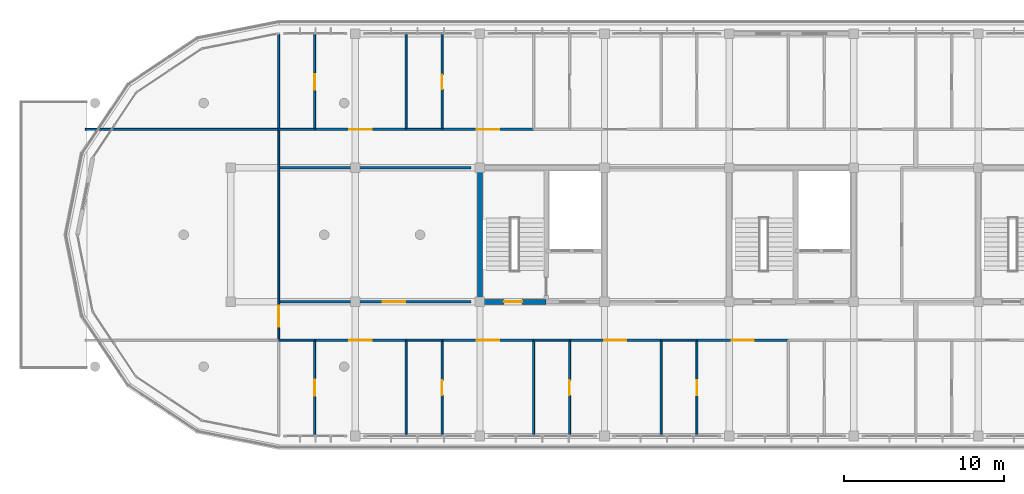
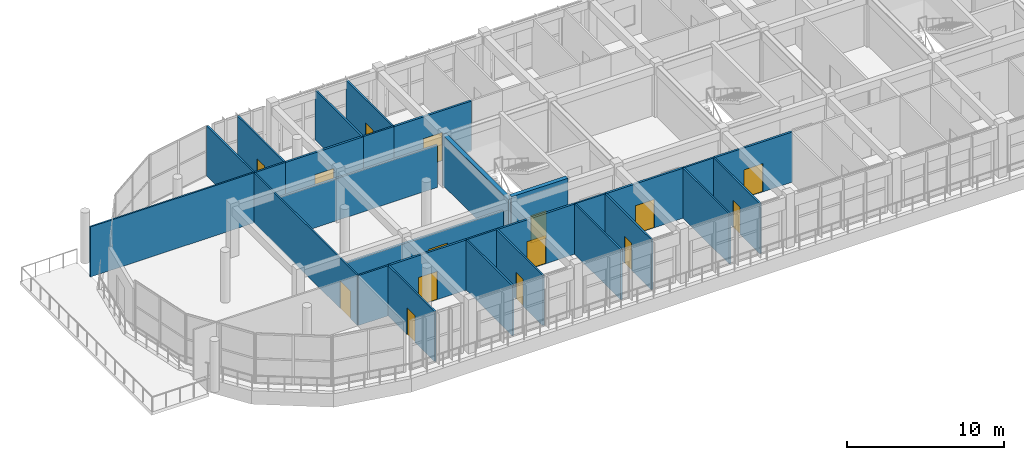
# One storey, part 47 of 56: 29 walls, 15 doors, 15 openings.
"""IFC4 building model written with IfcOpenShell, lengths in metres."""

from ifc_helpers import new_model, si_unit, direction, frame, frame_2d, origin, place, context, subcontext, project, spatial, rectangle, extrude, material, layer, layer_set, type_object, element, fill, save


model = new_model("IFC4")

# Units and contexts
model_context = context("Model", 3, precision=1e-05, world=origin(), true_north=direction((0.0, 1.0)))
body_context = subcontext(model_context, "Body", "Model", "MODEL_VIEW")
ifc_project = project(units=[si_unit("LENGTHUNIT", "METRE"), si_unit("AREAUNIT", "SQUARE_METRE"), si_unit("VOLUMEUNIT", "CUBIC_METRE"), si_unit("PLANEANGLEUNIT", "RADIAN"), si_unit("MASSUNIT", "GRAM", prefix="KILO")], contexts=[model_context])

# Site, building, storey
site_placement = place(None, origin())
site = spatial("IfcSite", under=ifc_project, at=site_placement, CompositionType="ELEMENT")
building_placement = place(site_placement, origin())
building = spatial("IfcBuilding", under=site, at=building_placement, Name="Zizhar Promenade General Hospital", CompositionType="ELEMENT")
storey_placement = place(building_placement, frame((0.0, 0.0, 26.39990234375)))
storey = spatial("IfcBuildingStorey", under=building, at=storey_placement, Name="L06", CompositionType="ELEMENT", Elevation=26.39990234375)

# Wall
ifc_material_1 = material(Name="Clean utility gypsum partition")
ifc_layer_1 = layer(ifc_material_1, 0.114990234375)
ifc_layer_set_1 = layer_set([ifc_layer_1], Name="Clean utility gypsum partition")
wall_type_1 = type_object("IfcWallType", Name="IW-STR-115", PredefinedType="PARTITIONING", material=ifc_layer_set_1)
wall_1_placement = place(storey_placement, frame((22.10009765625, 19.199951171875, 0.0), z_axis=(0.0, 0.0, 1.0), x_axis=(1.0, 0.0, 0.0)))
element("IfcWall", 1, at=wall_1_placement, inside=storey, type_object=wall_type_1, Name="West Patient Recovery Solarium L06 N Partition", PredefinedType="PARTITIONING", context=body_context, shape_type="SweptSolid", body=[
    extrude(rectangle(XDim=12.099853515625, YDim=0.114990234375, at=frame_2d((6.0498046875, 0.0))), origin(), (0.0, 0.0, 1.0), 3.900146484375),
])

# Wall, opening, door
wall_2_placement = place(storey_placement, frame((34.199951171875, 6.0, 0.0), z_axis=(0.0, 0.0, 1.0), x_axis=(0.0, 1.0, 0.0)))
wall_2 = element("IfcWall", 2, at=wall_2_placement, inside=storey, type_object=wall_type_1, Name="West Patient Recovery Solarium L06 E Partition", PredefinedType="PARTITIONING", context=body_context, shape_type="SweptSolid", body=[
    extrude(rectangle(XDim=13.199951171875, YDim=0.114990234375, at=frame_2d((6.60009765625, 0.0))), origin(), (0.0, 0.0, 1.0), 3.900146484375),
])
opening_1_placement = place(wall_2_placement, frame((0.85009765625, 0.0, 0.0)))
opening_1 = element("IfcOpeningElement", 3, at=opening_1_placement, cuts=wall_2, Name="Opening D-26", PredefinedType="OPENING", context=body_context, shape_type="SweptSolid", body=[
    extrude(rectangle(XDim=1.320068359375, YDim=2.14990234375, at=frame_2d((0.66015625, 1.074951171875))), frame((0.0, 0.0673828125, 0.0), z_axis=(0.0, -1.0, 0.0), x_axis=(1.0, 0.0, 0.0)), (0.0, 0.0, 1.0), 0.135009765625),
])
ifc_material_2 = material(Name="Fire-rated timber store leaf", Category="wood")
door_type_1 = type_object("IfcDoorType", Name="DR-STORE-132x215", OperationType="NOTDEFINED", PredefinedType="DOOR", material=ifc_material_2)
door_1_placement = place(opening_1_placement, origin())
door_1 = element("IfcDoor", 4, at=door_1_placement, inside=storey, type_object=door_type_1, Name="West Patient Recovery Solarium L06 Door", OperationType="SINGLE_SWING_RIGHT", OverallHeight=2.14990234375, OverallWidth=1.320068359375, PredefinedType="DOOR", context=body_context, shape_type="SweptSolid", body=[
    extrude(rectangle(XDim=1.320068359375, YDim=2.14990234375, at=frame_2d((0.66015625, 1.074951171875))), frame((0.0, 0.02490234375, 0.0), z_axis=(0.0, -1.0, 0.0), x_axis=(1.0, 0.0, 0.0)), (0.0, 0.0, 1.0), 0.050048828125),
])
fill(opening_1, door_1)

ifc_material_3 = material(Name="Acoustic patient bedroom partition")
ifc_layer_2 = layer(ifc_material_3, 0.155029296875)
ifc_layer_set_2 = layer_set([ifc_layer_2], Name="Acoustic patient bedroom partition")
wall_type_2 = type_object("IfcWallType", Name="IW-WARD-155", PredefinedType="PARTITIONING", material=ifc_layer_set_2)
wall_3_placement = place(storey_placement, frame((36.4599609375, 6.0, 0.0), z_axis=(0.0, 0.0, 1.0), x_axis=(1.0, 0.0, 0.0)))
wall_3 = element("IfcWall", 5, at=wall_3_placement, inside=storey, type_object=wall_type_2, Name="Surgical Recovery Inpatient Ward L06-S01 N Partition", PredefinedType="PARTITIONING", context=body_context, shape_type="SweptSolid", body=[
    extrude(rectangle(XDim=5.7099609375, YDim=0.155029296875, at=frame_2d((2.85498046875, 0.0))), origin(), (0.0, 0.0, 1.0), 3.900146484375),
])
opening_2_placement = place(wall_3_placement, frame((2.155029296875, 0.0, 0.0)))
opening_2 = element("IfcOpeningElement", 6, at=opening_2_placement, cuts=wall_3, Name="Opening D-06", PredefinedType="OPENING", context=body_context, shape_type="SweptSolid", body=[
    extrude(rectangle(XDim=1.39990234375, YDim=2.199951171875, at=frame_2d((0.699951171875, 1.10009765625))), frame((0.0, 0.08740234375, 0.0), z_axis=(0.0, -1.0, 0.0), x_axis=(1.0, 0.0, 0.0)), (0.0, 0.0, 1.0), 0.175048828125),
])
ifc_material_4 = material(Name="Fire-rated timber hospital bed leaf", Category="wood")
door_type_2 = type_object("IfcDoorType", Name="DR-BED-WARD-140x220", OperationType="NOTDEFINED", PredefinedType="DOOR", material=ifc_material_4)
door_2_placement = place(opening_2_placement, origin())
door_2 = element("IfcDoor", 7, at=door_2_placement, inside=storey, type_object=door_type_2, Name="Surgical Recovery Inpatient Ward L06-S01 Door", OperationType="SINGLE_SWING_RIGHT", OverallHeight=2.199951171875, OverallWidth=1.39990234375, PredefinedType="DOOR", context=body_context, shape_type="SweptSolid", body=[
    extrude(rectangle(XDim=1.39990234375, YDim=2.199951171875, at=frame_2d((0.699951171875, 1.10009765625))), frame((0.0, 0.02490234375, 0.0), z_axis=(0.0, -1.0, 0.0), x_axis=(1.0, 0.0, 0.0)), (0.0, 0.0, 1.0), 0.050048828125),
])
fill(opening_2, door_2)

wall_4_placement = place(storey_placement, frame((36.4599609375, 19.199951171875, 0.0), z_axis=(0.0, 0.0, 1.0), x_axis=(1.0, 0.0, 0.0)))
wall_4 = element("IfcWall", 8, at=wall_4_placement, inside=storey, type_object=wall_type_2, Name="Surgical Recovery Inpatient Ward L06-N01 S Partition", PredefinedType="PARTITIONING", context=body_context, shape_type="SweptSolid", body=[
    extrude(rectangle(XDim=5.7099609375, YDim=0.155029296875, at=frame_2d((2.85498046875, 0.0))), origin(), (0.0, 0.0, 1.0), 3.900146484375),
])
opening_3_placement = place(wall_4_placement, frame((2.155029296875, 0.0, 0.0)))
opening_3 = element("IfcOpeningElement", 9, at=opening_3_placement, cuts=wall_4, Name="Opening D-06", PredefinedType="OPENING", context=body_context, shape_type="SweptSolid", body=[
    extrude(rectangle(XDim=1.39990234375, YDim=2.199951171875, at=frame_2d((0.699951171875, 1.10009765625))), frame((0.0, 0.08740234375, 0.0), z_axis=(0.0, -1.0, 0.0), x_axis=(1.0, 0.0, 0.0)), (0.0, 0.0, 1.0), 0.175048828125),
])
door_3_placement = place(opening_3_placement, origin())
door_3 = element("IfcDoor", 10, at=door_3_placement, inside=storey, type_object=door_type_2, Name="Surgical Recovery Inpatient Ward L06-N01 Door", OperationType="SINGLE_SWING_LEFT", OverallHeight=2.199951171875, OverallWidth=1.39990234375, PredefinedType="DOOR", context=body_context, shape_type="SweptSolid", body=[
    extrude(rectangle(XDim=1.39990234375, YDim=2.199951171875, at=frame_2d((0.699951171875, 1.10009765625))), frame((0.0, 0.02490234375, 0.0), z_axis=(0.0, -1.0, 0.0), x_axis=(1.0, 0.0, 0.0)), (0.0, 0.0, 1.0), 0.050048828125),
])
fill(opening_3, door_3)

wall_5_placement = place(storey_placement, frame((44.43994140625, 6.0, 0.0), z_axis=(0.0, 0.0, 1.0), x_axis=(1.0, 0.0, 0.0)))
wall_5 = element("IfcWall", 11, at=wall_5_placement, inside=storey, type_object=wall_type_2, Name="Orthopaedic Inpatient Ward L06-S02 N Partition", PredefinedType="PARTITIONING", context=body_context, shape_type="SweptSolid", body=[
    extrude(rectangle(XDim=5.7099609375, YDim=0.155029296875, at=frame_2d((2.85498046875, 0.0))), origin(), (0.0, 0.0, 1.0), 3.900146484375),
])
opening_4_placement = place(wall_5_placement, frame((2.155029296875, 0.0, 0.0)))
opening_4 = element("IfcOpeningElement", 12, at=opening_4_placement, cuts=wall_5, Name="Opening D-06", PredefinedType="OPENING", context=body_context, shape_type="SweptSolid", body=[
    extrude(rectangle(XDim=1.39990234375, YDim=2.199951171875, at=frame_2d((0.699951171875, 1.10009765625))), frame((0.0, 0.08740234375, 0.0), z_axis=(0.0, -1.0, 0.0), x_axis=(1.0, 0.0, 0.0)), (0.0, 0.0, 1.0), 0.175048828125),
])
door_4_placement = place(opening_4_placement, origin())
door_4 = element("IfcDoor", 13, at=door_4_placement, inside=storey, type_object=door_type_2, Name="Orthopaedic Inpatient Ward L06-S02 Door", OperationType="SINGLE_SWING_RIGHT", OverallHeight=2.199951171875, OverallWidth=1.39990234375, PredefinedType="DOOR", context=body_context, shape_type="SweptSolid", body=[
    extrude(rectangle(XDim=1.39990234375, YDim=2.199951171875, at=frame_2d((0.699951171875, 1.10009765625))), frame((0.0, 0.02490234375, 0.0), z_axis=(0.0, -1.0, 0.0), x_axis=(1.0, 0.0, 0.0)), (0.0, 0.0, 1.0), 0.050048828125),
])
fill(opening_4, door_4)

wall_6_placement = place(storey_placement, frame((44.43994140625, 19.199951171875, 0.0), z_axis=(0.0, 0.0, 1.0), x_axis=(1.0, 0.0, 0.0)))
wall_6 = element("IfcWall", 14, at=wall_6_placement, inside=storey, type_object=wall_type_2, Name="Orthopaedic Inpatient Ward L06-N02 S Partition", PredefinedType="PARTITIONING", context=body_context, shape_type="SweptSolid", body=[
    extrude(rectangle(XDim=5.7099609375, YDim=0.155029296875, at=frame_2d((2.85498046875, 0.0))), origin(), (0.0, 0.0, 1.0), 3.900146484375),
])
opening_5_placement = place(wall_6_placement, frame((2.155029296875, 0.0, 0.0)))
opening_5 = element("IfcOpeningElement", 15, at=opening_5_placement, cuts=wall_6, Name="Opening D-06", PredefinedType="OPENING", context=body_context, shape_type="SweptSolid", body=[
    extrude(rectangle(XDim=1.39990234375, YDim=2.199951171875, at=frame_2d((0.699951171875, 1.10009765625))), frame((0.0, 0.08740234375, 0.0), z_axis=(0.0, -1.0, 0.0), x_axis=(1.0, 0.0, 0.0)), (0.0, 0.0, 1.0), 0.175048828125),
])
door_5_placement = place(opening_5_placement, origin())
door_5 = element("IfcDoor", 16, at=door_5_placement, inside=storey, type_object=door_type_2, Name="Orthopaedic Inpatient Ward L06-N02 Door", OperationType="SINGLE_SWING_LEFT", OverallHeight=2.199951171875, OverallWidth=1.39990234375, PredefinedType="DOOR", context=body_context, shape_type="SweptSolid", body=[
    extrude(rectangle(XDim=1.39990234375, YDim=2.199951171875, at=frame_2d((0.699951171875, 1.10009765625))), frame((0.0, 0.02490234375, 0.0), z_axis=(0.0, -1.0, 0.0), x_axis=(1.0, 0.0, 0.0)), (0.0, 0.0, 1.0), 0.050048828125),
])
fill(opening_5, door_5)

wall_7_placement = place(storey_placement, frame((52.419921875, 6.0, 0.0), z_axis=(0.0, 0.0, 1.0), x_axis=(1.0, 0.0, 0.0)))
wall_7 = element("IfcWall", 17, at=wall_7_placement, inside=storey, type_object=wall_type_2, Name="Surgical Recovery Inpatient Ward L06-S03 N Partition", PredefinedType="PARTITIONING", context=body_context, shape_type="SweptSolid", body=[
    extrude(rectangle(XDim=5.7099609375, YDim=0.155029296875, at=frame_2d((2.85498046875, 0.0))), origin(), (0.0, 0.0, 1.0), 3.900146484375),
])
opening_6_placement = place(wall_7_placement, frame((2.155029296875, 0.0, 0.0)))
opening_6 = element("IfcOpeningElement", 18, at=opening_6_placement, cuts=wall_7, Name="Opening D-06", PredefinedType="OPENING", context=body_context, shape_type="SweptSolid", body=[
    extrude(rectangle(XDim=1.39990234375, YDim=2.199951171875, at=frame_2d((0.699951171875, 1.10009765625))), frame((0.0, 0.08740234375, 0.0), z_axis=(0.0, -1.0, 0.0), x_axis=(1.0, 0.0, 0.0)), (0.0, 0.0, 1.0), 0.175048828125),
])
door_6_placement = place(opening_6_placement, origin())
door_6 = element("IfcDoor", 19, at=door_6_placement, inside=storey, type_object=door_type_2, Name="Surgical Recovery Inpatient Ward L06-S03 Door", OperationType="SINGLE_SWING_RIGHT", OverallHeight=2.199951171875, OverallWidth=1.39990234375, PredefinedType="DOOR", context=body_context, shape_type="SweptSolid", body=[
    extrude(rectangle(XDim=1.39990234375, YDim=2.199951171875, at=frame_2d((0.699951171875, 1.10009765625))), frame((0.0, 0.02490234375, 0.0), z_axis=(0.0, -1.0, 0.0), x_axis=(1.0, 0.0, 0.0)), (0.0, 0.0, 1.0), 0.050048828125),
])
fill(opening_6, door_6)

wall_8_placement = place(storey_placement, frame((60.39990234375, 6.0, 0.0), z_axis=(0.0, 0.0, 1.0), x_axis=(1.0, 0.0, 0.0)))
wall_8 = element("IfcWall", 20, at=wall_8_placement, inside=storey, type_object=wall_type_2, Name="Orthopaedic Inpatient Ward L06-S04 N Partition", PredefinedType="PARTITIONING", context=body_context, shape_type="SweptSolid", body=[
    extrude(rectangle(XDim=5.710205078125, YDim=0.155029296875, at=frame_2d((2.85498046875, 0.0))), origin(), (0.0, 0.0, 1.0), 3.900146484375),
])
opening_7_placement = place(wall_8_placement, frame((2.155029296875, 0.0, 0.0)))
opening_7 = element("IfcOpeningElement", 21, at=opening_7_placement, cuts=wall_8, Name="Opening D-06", PredefinedType="OPENING", context=body_context, shape_type="SweptSolid", body=[
    extrude(rectangle(XDim=1.39990234375, YDim=2.199951171875, at=frame_2d((0.699951171875, 1.10009765625))), frame((0.0, 0.08740234375, 0.0), z_axis=(0.0, -1.0, 0.0), x_axis=(1.0, 0.0, 0.0)), (0.0, 0.0, 1.0), 0.175048828125),
])
door_7_placement = place(opening_7_placement, origin())
door_7 = element("IfcDoor", 22, at=door_7_placement, inside=storey, type_object=door_type_2, Name="Orthopaedic Inpatient Ward L06-S04 Door", OperationType="SINGLE_SWING_RIGHT", OverallHeight=2.199951171875, OverallWidth=1.39990234375, PredefinedType="DOOR", context=body_context, shape_type="SweptSolid", body=[
    extrude(rectangle(XDim=1.39990234375, YDim=2.199951171875, at=frame_2d((0.699951171875, 1.10009765625))), frame((0.0, 0.02490234375, 0.0), z_axis=(0.0, -1.0, 0.0), x_axis=(1.0, 0.0, 0.0)), (0.0, 0.0, 1.0), 0.050048828125),
])
fill(opening_7, door_7)

wall_9_placement = place(storey_placement, frame((34.2099609375, 8.39990234375, 0.0), z_axis=(0.0, 0.0, 1.0), x_axis=(1.0, 0.0, 0.0)))
wall_9 = element("IfcWall", 23, at=wall_9_placement, inside=storey, type_object=wall_type_2, Name="Ward Clinical Examination Room L06 S Partition", PredefinedType="PARTITIONING", context=body_context, shape_type="SweptSolid", body=[
    extrude(rectangle(XDim=12.030029296875, YDim=0.155029296875, at=frame_2d((6.01513671875, 0.0))), origin(), (0.0, 0.0, 1.0), 3.27001953125),
])
opening_8_placement = place(wall_9_placement, frame((6.51806640625, 0.0, 0.0)))
opening_8 = element("IfcOpeningElement", 24, at=opening_8_placement, cuts=wall_9, Name="Opening D-06", PredefinedType="OPENING", context=body_context, shape_type="SweptSolid", body=[
    extrude(rectangle(XDim=1.39990234375, YDim=2.199951171875, at=frame_2d((0.699951171875, 1.10009765625))), frame((0.0, 0.08740234375, 0.0), z_axis=(0.0, -1.0, 0.0), x_axis=(1.0, 0.0, 0.0)), (0.0, 0.0, 1.0), 0.175048828125),
])
door_8_placement = place(opening_8_placement, origin())
door_8 = element("IfcDoor", 25, at=door_8_placement, inside=storey, type_object=door_type_2, Name="Ward Clinical Examination Room L06 Door", OperationType="SINGLE_SWING_RIGHT", OverallHeight=2.199951171875, OverallWidth=1.39990234375, PredefinedType="DOOR", context=body_context, shape_type="SweptSolid", body=[
    extrude(rectangle(XDim=1.39990234375, YDim=2.199951171875, at=frame_2d((0.699951171875, 1.10009765625))), frame((0.0, 0.02490234375, 0.0), z_axis=(0.0, -1.0, 0.0), x_axis=(1.0, 0.0, 0.0)), (0.0, 0.0, 1.0), 0.050048828125),
])
fill(opening_8, door_8)

# Walls
wall_10_placement = place(storey_placement, frame((34.2099609375, 16.800048828125, 0.0), z_axis=(0.0, 0.0, 1.0), x_axis=(1.0, 0.0, 0.0)))
element("IfcWall", 26, at=wall_10_placement, inside=storey, type_object=wall_type_2, Name="Ward Clinical Examination Room L06 N Partition", PredefinedType="PARTITIONING", context=body_context, shape_type="SweptSolid", body=[
    extrude(rectangle(XDim=12.030029296875, YDim=0.155029296875, at=frame_2d((6.01513671875, 0.0))), origin(), (0.0, 0.0, 1.0), 3.27001953125),
])
ifc_material_5 = material(Name="Moisture-resistant en-suite wet partition")
ifc_layer_3 = layer(ifc_material_5, 0.125)
ifc_layer_set_3 = layer_set([ifc_layer_3], Name="Moisture-resistant en-suite wet partition")
wall_type_3 = type_object("IfcWallType", Name="IW-WET-125", PredefinedType="PARTITIONING", material=ifc_layer_set_3)
wall_11_placement = place(storey_placement, frame((34.199951171875, 6.0, 0.0), z_axis=(0.0, 0.0, 1.0), x_axis=(1.0, 0.0, 0.0)))
element("IfcWall", 27, at=wall_11_placement, inside=storey, type_object=wall_type_3, Name="En-Suite Patient Bathroom L06-S01 N Partition", PredefinedType="PARTITIONING", context=body_context, shape_type="SweptSolid", body=[
    extrude(rectangle(XDim=2.25, YDim=0.125, at=frame_2d((1.125, 0.0))), origin(), (0.0, 0.0, 1.0), 3.900146484375),
])

# Wall, opening, door
wall_12_placement = place(storey_placement, frame((36.449951171875, 0.044921875, 0.0), z_axis=(0.0, 0.0, 1.0), x_axis=(0.0, 1.0, 0.0)))
wall_12 = element("IfcWall", 28, at=wall_12_placement, inside=storey, type_object=wall_type_3, Name="En-Suite Patient Bathroom L06-S01 E Partition", PredefinedType="PARTITIONING", context=body_context, shape_type="SweptSolid", body=[
    extrude(rectangle(XDim=5.955078125, YDim=0.125, at=frame_2d((2.9775390625, 0.0))), origin(), (0.0, 0.0, 1.0), 3.900146484375),
])
opening_9_placement = place(wall_12_placement, frame((2.487548828125, 0.0, 0.0)))
opening_9 = element("IfcOpeningElement", 29, at=opening_9_placement, cuts=wall_12, Name="Opening D-17", PredefinedType="OPENING", context=body_context, shape_type="SweptSolid", body=[
    extrude(rectangle(XDim=0.97998046875, YDim=2.10009765625, at=frame_2d((0.489990234375, 1.050048828125))), frame((0.0, 0.072509765625, 0.0), z_axis=(0.0, -1.0, 0.0), x_axis=(1.0, 0.0, 0.0)), (0.0, 0.0, 1.0), 0.14501953125),
])
ifc_material_6 = material(Name="Moisture-resistant timber PMR leaf", Category="wood")
door_type_3 = type_object("IfcDoorType", Name="DR-ENS-PMR-098x210", OperationType="NOTDEFINED", PredefinedType="DOOR", material=ifc_material_6)
door_9_placement = place(opening_9_placement, origin())
door_9 = element("IfcDoor", 30, at=door_9_placement, inside=storey, type_object=door_type_3, Name="En-Suite Patient Bathroom L06-S01 Door", OperationType="SINGLE_SWING_RIGHT", OverallHeight=2.10009765625, OverallWidth=0.97998046875, PredefinedType="DOOR", context=body_context, shape_type="SweptSolid", body=[
    extrude(rectangle(XDim=0.97998046875, YDim=2.10009765625, at=frame_2d((0.489990234375, 1.050048828125))), frame((0.0, 0.02490234375, 0.0), z_axis=(0.0, -1.0, 0.0), x_axis=(1.0, 0.0, 0.0)), (0.0, 0.0, 1.0), 0.050048828125),
])
fill(opening_9, door_9)

# Walls
wall_13_placement = place(storey_placement, frame((34.199951171875, 19.199951171875, 0.0), z_axis=(0.0, 0.0, 1.0), x_axis=(1.0, 0.0, 0.0)))
element("IfcWall", 31, at=wall_13_placement, inside=storey, type_object=wall_type_3, Name="En-Suite Patient Bathroom L06-N01 S Partition", PredefinedType="PARTITIONING", context=body_context, shape_type="SweptSolid", body=[
    extrude(rectangle(XDim=2.25, YDim=0.125, at=frame_2d((1.125, 0.0))), origin(), (0.0, 0.0, 1.0), 3.900146484375),
])
wall_14_placement = place(storey_placement, frame((34.199951171875, 19.199951171875, 0.0), z_axis=(0.0, 0.0, 1.0), x_axis=(0.0, 1.0, 0.0)))
element("IfcWall", 32, at=wall_14_placement, inside=storey, type_object=wall_type_3, Name="En-Suite Patient Bathroom L06-N01 W Partition", PredefinedType="PARTITIONING", context=body_context, shape_type="SweptSolid", body=[
    extrude(rectangle(XDim=5.955078125, YDim=0.125, at=frame_2d((2.9775390625, 0.0))), origin(), (0.0, 0.0, 1.0), 3.900146484375),
])

# Wall, opening, door
wall_15_placement = place(storey_placement, frame((36.449951171875, 19.199951171875, 0.0), z_axis=(0.0, 0.0, 1.0), x_axis=(0.0, 1.0, 0.0)))
wall_15 = element("IfcWall", 33, at=wall_15_placement, inside=storey, type_object=wall_type_3, Name="En-Suite Patient Bathroom L06-N01 E Partition", PredefinedType="PARTITIONING", context=body_context, shape_type="SweptSolid", body=[
    extrude(rectangle(XDim=5.955078125, YDim=0.125, at=frame_2d((2.9775390625, 0.0))), origin(), (0.0, 0.0, 1.0), 3.900146484375),
])
opening_10_placement = place(wall_15_placement, frame((2.487548828125, 0.0, 0.0)))
opening_10 = element("IfcOpeningElement", 34, at=opening_10_placement, cuts=wall_15, Name="Opening D-17", PredefinedType="OPENING", context=body_context, shape_type="SweptSolid", body=[
    extrude(rectangle(XDim=0.97998046875, YDim=2.10009765625, at=frame_2d((0.489990234375, 1.050048828125))), frame((0.0, 0.072509765625, 0.0), z_axis=(0.0, -1.0, 0.0), x_axis=(1.0, 0.0, 0.0)), (0.0, 0.0, 1.0), 0.14501953125),
])
door_10_placement = place(opening_10_placement, origin())
door_10 = element("IfcDoor", 35, at=door_10_placement, inside=storey, type_object=door_type_3, Name="En-Suite Patient Bathroom L06-N01 Door", OperationType="SINGLE_SWING_LEFT", OverallHeight=2.10009765625, OverallWidth=0.97998046875, PredefinedType="DOOR", context=body_context, shape_type="SweptSolid", body=[
    extrude(rectangle(XDim=0.97998046875, YDim=2.10009765625, at=frame_2d((0.489990234375, 1.050048828125))), frame((0.0, 0.02490234375, 0.0), z_axis=(0.0, -1.0, 0.0), x_axis=(1.0, 0.0, 0.0)), (0.0, 0.0, 1.0), 0.050048828125),
])
fill(opening_10, door_10)

# Walls
wall_16_placement = place(storey_placement, frame((42.179931640625, 6.0, 0.0), z_axis=(0.0, 0.0, 1.0), x_axis=(1.0, 0.0, 0.0)))
element("IfcWall", 36, at=wall_16_placement, inside=storey, type_object=wall_type_3, Name="En-Suite Patient Bathroom L06-S02 N Partition", PredefinedType="PARTITIONING", context=body_context, shape_type="SweptSolid", body=[
    extrude(rectangle(XDim=2.25, YDim=0.125, at=frame_2d((1.125, 0.0))), origin(), (0.0, 0.0, 1.0), 3.900146484375),
])
wall_17_placement = place(storey_placement, frame((42.179931640625, 0.044921875, 0.0), z_axis=(0.0, 0.0, 1.0), x_axis=(0.0, 1.0, 0.0)))
element("IfcWall", 37, at=wall_17_placement, inside=storey, type_object=wall_type_3, Name="En-Suite Patient Bathroom L06-S02 W Partition", PredefinedType="PARTITIONING", context=body_context, shape_type="SweptSolid", body=[
    extrude(rectangle(XDim=5.955078125, YDim=0.125, at=frame_2d((2.9775390625, 0.0))), origin(), (0.0, 0.0, 1.0), 3.900146484375),
])

# Wall, opening, door
wall_18_placement = place(storey_placement, frame((44.429931640625, 0.044921875, 0.0), z_axis=(0.0, 0.0, 1.0), x_axis=(0.0, 1.0, 0.0)))
wall_18 = element("IfcWall", 38, at=wall_18_placement, inside=storey, type_object=wall_type_3, Name="En-Suite Patient Bathroom L06-S02 E Partition", PredefinedType="PARTITIONING", context=body_context, shape_type="SweptSolid", body=[
    extrude(rectangle(XDim=5.955078125, YDim=0.125, at=frame_2d((2.9775390625, 0.0))), origin(), (0.0, 0.0, 1.0), 3.900146484375),
])
opening_11_placement = place(wall_18_placement, frame((2.517578125, 0.0, 0.0)))
opening_11 = element("IfcOpeningElement", 39, at=opening_11_placement, cuts=wall_18, Name="Opening D-18", PredefinedType="OPENING", context=body_context, shape_type="SweptSolid", body=[
    extrude(rectangle(XDim=0.919921875, YDim=2.10009765625, at=frame_2d((0.4599609375, 1.050048828125))), frame((0.0, 0.072509765625, 0.0), z_axis=(0.0, -1.0, 0.0), x_axis=(1.0, 0.0, 0.0)), (0.0, 0.0, 1.0), 0.14501953125),
])
ifc_material_7 = material(Name="Moisture-resistant timber en-suite leaf", Category="wood")
door_type_4 = type_object("IfcDoorType", Name="DR-ENS-STD-092x210", OperationType="NOTDEFINED", PredefinedType="DOOR", material=ifc_material_7)
door_11_placement = place(opening_11_placement, origin())
door_11 = element("IfcDoor", 40, at=door_11_placement, inside=storey, type_object=door_type_4, Name="En-Suite Patient Bathroom L06-S02 Door", OperationType="SINGLE_SWING_RIGHT", OverallHeight=2.10009765625, OverallWidth=0.919921875, PredefinedType="DOOR", context=body_context, shape_type="SweptSolid", body=[
    extrude(rectangle(XDim=0.919921875, YDim=2.10009765625, at=frame_2d((0.4599609375, 1.050048828125))), frame((0.0, 0.02490234375, 0.0), z_axis=(0.0, -1.0, 0.0), x_axis=(1.0, 0.0, 0.0)), (0.0, 0.0, 1.0), 0.050048828125),
])
fill(opening_11, door_11)

# Walls
wall_19_placement = place(storey_placement, frame((42.179931640625, 19.199951171875, 0.0), z_axis=(0.0, 0.0, 1.0), x_axis=(1.0, 0.0, 0.0)))
element("IfcWall", 41, at=wall_19_placement, inside=storey, type_object=wall_type_3, Name="En-Suite Patient Bathroom L06-N02 S Partition", PredefinedType="PARTITIONING", context=body_context, shape_type="SweptSolid", body=[
    extrude(rectangle(XDim=2.25, YDim=0.125, at=frame_2d((1.125, 0.0))), origin(), (0.0, 0.0, 1.0), 3.900146484375),
])
wall_20_placement = place(storey_placement, frame((42.179931640625, 19.199951171875, 0.0), z_axis=(0.0, 0.0, 1.0), x_axis=(0.0, 1.0, 0.0)))
element("IfcWall", 42, at=wall_20_placement, inside=storey, type_object=wall_type_3, Name="En-Suite Patient Bathroom L06-N02 W Partition", PredefinedType="PARTITIONING", context=body_context, shape_type="SweptSolid", body=[
    extrude(rectangle(XDim=5.955078125, YDim=0.125, at=frame_2d((2.9775390625, 0.0))), origin(), (0.0, 0.0, 1.0), 3.900146484375),
])

# Wall, opening, door
wall_21_placement = place(storey_placement, frame((44.429931640625, 19.199951171875, 0.0), z_axis=(0.0, 0.0, 1.0), x_axis=(0.0, 1.0, 0.0)))
wall_21 = element("IfcWall", 43, at=wall_21_placement, inside=storey, type_object=wall_type_3, Name="En-Suite Patient Bathroom L06-N02 E Partition", PredefinedType="PARTITIONING", context=body_context, shape_type="SweptSolid", body=[
    extrude(rectangle(XDim=5.955078125, YDim=0.125, at=frame_2d((2.9775390625, 0.0))), origin(), (0.0, 0.0, 1.0), 3.900146484375),
])
opening_12_placement = place(wall_21_placement, frame((2.517578125, 0.0, 0.0)))
opening_12 = element("IfcOpeningElement", 44, at=opening_12_placement, cuts=wall_21, Name="Opening D-18", PredefinedType="OPENING", context=body_context, shape_type="SweptSolid", body=[
    extrude(rectangle(XDim=0.919921875, YDim=2.10009765625, at=frame_2d((0.4599609375, 1.050048828125))), frame((0.0, 0.072509765625, 0.0), z_axis=(0.0, -1.0, 0.0), x_axis=(1.0, 0.0, 0.0)), (0.0, 0.0, 1.0), 0.14501953125),
])
door_12_placement = place(opening_12_placement, origin())
door_12 = element("IfcDoor", 45, at=door_12_placement, inside=storey, type_object=door_type_4, Name="En-Suite Patient Bathroom L06-N02 Door", OperationType="SINGLE_SWING_LEFT", OverallHeight=2.10009765625, OverallWidth=0.919921875, PredefinedType="DOOR", context=body_context, shape_type="SweptSolid", body=[
    extrude(rectangle(XDim=0.919921875, YDim=2.10009765625, at=frame_2d((0.4599609375, 1.050048828125))), frame((0.0, 0.02490234375, 0.0), z_axis=(0.0, -1.0, 0.0), x_axis=(1.0, 0.0, 0.0)), (0.0, 0.0, 1.0), 0.050048828125),
])
fill(opening_12, door_12)

# Walls
wall_22_placement = place(storey_placement, frame((50.159912109375, 6.0, 0.0), z_axis=(0.0, 0.0, 1.0), x_axis=(1.0, 0.0, 0.0)))
element("IfcWall", 46, at=wall_22_placement, inside=storey, type_object=wall_type_3, Name="En-Suite Patient Bathroom L06-S03 N Partition", PredefinedType="PARTITIONING", context=body_context, shape_type="SweptSolid", body=[
    extrude(rectangle(XDim=2.25, YDim=0.125, at=frame_2d((1.125, 0.0))), origin(), (0.0, 0.0, 1.0), 3.900146484375),
])
wall_23_placement = place(storey_placement, frame((50.159912109375, 0.044921875, 0.0), z_axis=(0.0, 0.0, 1.0), x_axis=(0.0, 1.0, 0.0)))
element("IfcWall", 47, at=wall_23_placement, inside=storey, type_object=wall_type_3, Name="En-Suite Patient Bathroom L06-S03 W Partition", PredefinedType="PARTITIONING", context=body_context, shape_type="SweptSolid", body=[
    extrude(rectangle(XDim=5.955078125, YDim=0.125, at=frame_2d((2.9775390625, 0.0))), origin(), (0.0, 0.0, 1.0), 3.900146484375),
])

# Wall, opening, door
wall_24_placement = place(storey_placement, frame((52.409912109375, 0.044921875, 0.0), z_axis=(0.0, 0.0, 1.0), x_axis=(0.0, 1.0, 0.0)))
wall_24 = element("IfcWall", 48, at=wall_24_placement, inside=storey, type_object=wall_type_3, Name="En-Suite Patient Bathroom L06-S03 E Partition", PredefinedType="PARTITIONING", context=body_context, shape_type="SweptSolid", body=[
    extrude(rectangle(XDim=5.955078125, YDim=0.125, at=frame_2d((2.9775390625, 0.0))), origin(), (0.0, 0.0, 1.0), 3.900146484375),
])
opening_13_placement = place(wall_24_placement, frame((2.517578125, 0.0, 0.0)))
opening_13 = element("IfcOpeningElement", 49, at=opening_13_placement, cuts=wall_24, Name="Opening D-18", PredefinedType="OPENING", context=body_context, shape_type="SweptSolid", body=[
    extrude(rectangle(XDim=0.919921875, YDim=2.10009765625, at=frame_2d((0.4599609375, 1.050048828125))), frame((0.0, 0.072509765625, 0.0), z_axis=(0.0, -1.0, 0.0), x_axis=(1.0, 0.0, 0.0)), (0.0, 0.0, 1.0), 0.14501953125),
])
door_13_placement = place(opening_13_placement, origin())
door_13 = element("IfcDoor", 50, at=door_13_placement, inside=storey, type_object=door_type_4, Name="En-Suite Patient Bathroom L06-S03 Door", OperationType="SINGLE_SWING_RIGHT", OverallHeight=2.10009765625, OverallWidth=0.919921875, PredefinedType="DOOR", context=body_context, shape_type="SweptSolid", body=[
    extrude(rectangle(XDim=0.919921875, YDim=2.10009765625, at=frame_2d((0.4599609375, 1.050048828125))), frame((0.0, 0.02490234375, 0.0), z_axis=(0.0, -1.0, 0.0), x_axis=(1.0, 0.0, 0.0)), (0.0, 0.0, 1.0), 0.050048828125),
])
fill(opening_13, door_13)

# Walls
wall_25_placement = place(storey_placement, frame((58.139892578125, 6.0, 0.0), z_axis=(0.0, 0.0, 1.0), x_axis=(1.0, 0.0, 0.0)))
element("IfcWall", 51, at=wall_25_placement, inside=storey, type_object=wall_type_3, Name="En-Suite Patient Bathroom L06-S04 N Partition", PredefinedType="PARTITIONING", context=body_context, shape_type="SweptSolid", body=[
    extrude(rectangle(XDim=2.25, YDim=0.125, at=frame_2d((1.125, 0.0))), origin(), (0.0, 0.0, 1.0), 3.900146484375),
])
wall_26_placement = place(storey_placement, frame((58.139892578125, 0.044921875, 0.0), z_axis=(0.0, 0.0, 1.0), x_axis=(0.0, 1.0, 0.0)))
element("IfcWall", 52, at=wall_26_placement, inside=storey, type_object=wall_type_3, Name="En-Suite Patient Bathroom L06-S04 W Partition", PredefinedType="PARTITIONING", context=body_context, shape_type="SweptSolid", body=[
    extrude(rectangle(XDim=5.955078125, YDim=0.125, at=frame_2d((2.9775390625, 0.0))), origin(), (0.0, 0.0, 1.0), 3.900146484375),
])

# Wall, opening, door
wall_27_placement = place(storey_placement, frame((60.389892578125, 0.044921875, 0.0), z_axis=(0.0, 0.0, 1.0), x_axis=(0.0, 1.0, 0.0)))
wall_27 = element("IfcWall", 53, at=wall_27_placement, inside=storey, type_object=wall_type_3, Name="En-Suite Patient Bathroom L06-S04 E Partition", PredefinedType="PARTITIONING", context=body_context, shape_type="SweptSolid", body=[
    extrude(rectangle(XDim=5.955078125, YDim=0.125, at=frame_2d((2.9775390625, 0.0))), origin(), (0.0, 0.0, 1.0), 3.900146484375),
])
opening_14_placement = place(wall_27_placement, frame((2.517578125, 0.0, 0.0)))
opening_14 = element("IfcOpeningElement", 54, at=opening_14_placement, cuts=wall_27, Name="Opening D-18", PredefinedType="OPENING", context=body_context, shape_type="SweptSolid", body=[
    extrude(rectangle(XDim=0.919921875, YDim=2.10009765625, at=frame_2d((0.4599609375, 1.050048828125))), frame((0.0, 0.072509765625, 0.0), z_axis=(0.0, -1.0, 0.0), x_axis=(1.0, 0.0, 0.0)), (0.0, 0.0, 1.0), 0.14501953125),
])
door_14_placement = place(opening_14_placement, origin())
door_14 = element("IfcDoor", 55, at=door_14_placement, inside=storey, type_object=door_type_4, Name="En-Suite Patient Bathroom L06-S04 Door", OperationType="SINGLE_SWING_RIGHT", OverallHeight=2.10009765625, OverallWidth=0.919921875, PredefinedType="DOOR", context=body_context, shape_type="SweptSolid", body=[
    extrude(rectangle(XDim=0.919921875, YDim=2.10009765625, at=frame_2d((0.4599609375, 1.050048828125))), frame((0.0, 0.02490234375, 0.0), z_axis=(0.0, -1.0, 0.0), x_axis=(1.0, 0.0, 0.0)), (0.0, 0.0, 1.0), 0.050048828125),
])
fill(opening_14, door_14)

# Wall
ifc_material_8 = material(Name="Concrete C40/50", Category="concrete")
ifc_layer_4 = layer(ifc_material_8, 0.300048828125)
ifc_layer_set_4 = layer_set([ifc_layer_4], Name="Concrete C40/50")
wall_type_4 = type_object("IfcWallType", Name="WL-CORE-300", PredefinedType="SHEAR", material=ifc_layer_set_4)
wall_28_placement = place(storey_placement, frame((46.800048828125, 8.39990234375, 0.0), z_axis=(0.0, 0.0, 1.0), x_axis=(0.0, 1.0, 0.0)))
element("IfcWall", 56, at=wall_28_placement, inside=storey, type_object=wall_type_4, Name="Core C2 West Shear Wall L06", PredefinedType="SHEAR", context=body_context, shape_type="SweptSolid", body=[
    extrude(rectangle(XDim=8.400146484375, YDim=0.300048828125, at=frame_2d((4.2001953125, 0.0))), origin(), (0.0, 0.0, 1.0), 3.920166015625),
])

# Wall, opening, door
wall_29_placement = place(storey_placement, frame((46.800048828125, 8.39990234375, 0.0), z_axis=(0.0, 0.0, 1.0), x_axis=(1.0, 0.0, 0.0)))
wall_29 = element("IfcWall", 57, at=wall_29_placement, inside=storey, type_object=wall_type_4, Name="Core C2 Stair South Fire Wall (L06)", PredefinedType="SHEAR", context=body_context, shape_type="SweptSolid", body=[
    extrude(rectangle(XDim=4.14990234375, YDim=0.300048828125, at=frame_2d((2.074951171875, 0.0))), origin(), (0.0, 0.0, 1.0), 4.2001953125),
])
opening_15_placement = place(wall_29_placement, frame((1.514892578125, 0.0, 0.0)))
opening_15 = element("IfcOpeningElement", 58, at=opening_15_placement, cuts=wall_29, Name="Opening D-21", PredefinedType="OPENING", context=body_context, shape_type="SweptSolid", body=[
    extrude(rectangle(XDim=1.1201171875, YDim=2.14990234375, at=frame_2d((0.56005859375, 1.074951171875))), frame((0.0, 0.16015625, 0.0), z_axis=(0.0, -1.0, 0.0), x_axis=(1.0, 0.0, 0.0)), (0.0, 0.0, 1.0), 0.320068359375),
])
ifc_material_9 = material(Name="Steel S355 protected stair door", Category="steel")
door_type_5 = type_object("IfcDoorType", Name="DR-STAIR-112x215", OperationType="NOTDEFINED", PredefinedType="DOOR", material=ifc_material_9)
door_15_placement = place(opening_15_placement, origin())
door_15 = element("IfcDoor", 59, at=door_15_placement, inside=storey, type_object=door_type_5, Name="Exit Stair ST-02 Door (L06)", OperationType="SINGLE_SWING_LEFT", OverallHeight=2.14990234375, OverallWidth=1.1201171875, PredefinedType="DOOR", context=body_context, shape_type="SweptSolid", body=[
    extrude(rectangle(XDim=1.1201171875, YDim=2.14990234375, at=frame_2d((0.56005859375, 1.074951171875))), frame((0.0, 0.02490234375, 0.0), z_axis=(0.0, -1.0, 0.0), x_axis=(1.0, 0.0, 0.0)), (0.0, 0.0, 1.0), 0.050048828125),
])
fill(opening_15, door_15)

save(model, "model.ifc")
